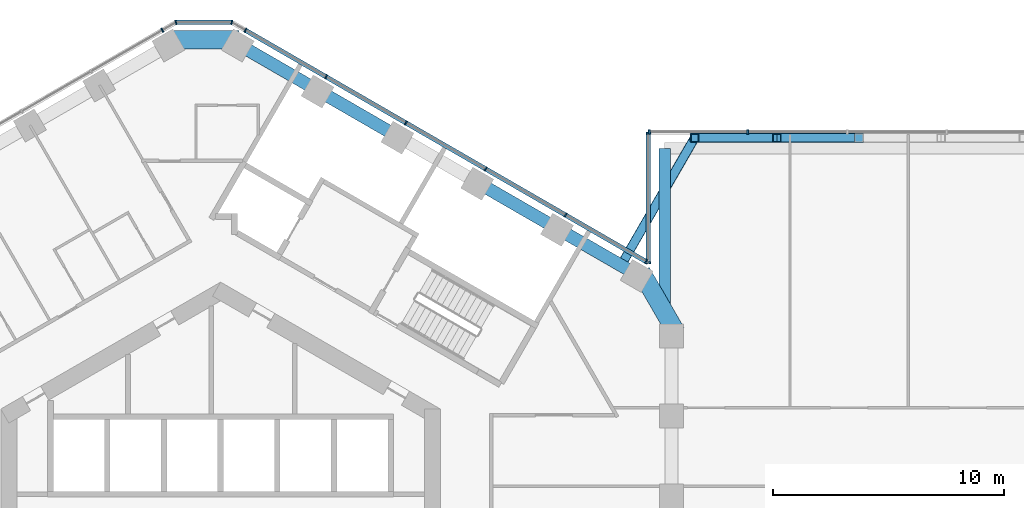
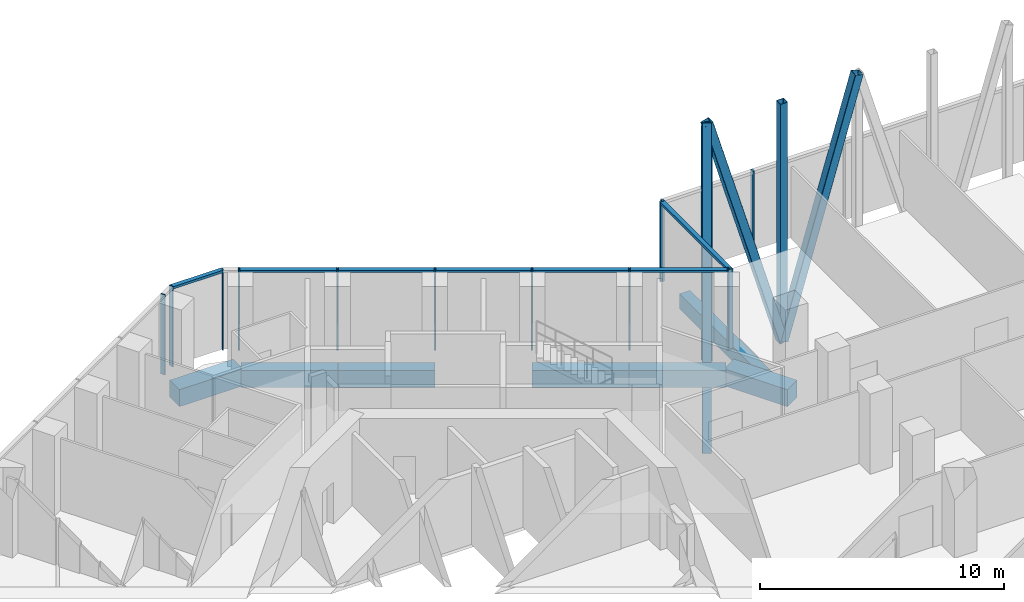
# One storey, part 8 of 24: 21 members, 7 beams, 5 elements without a shape of their own.
"""IFC4 building model written with IfcOpenShell, lengths in metres."""

from ifc_helpers import new_model, si_unit, direction, frame, origin, origin_2d, place, context, subcontext, project, spatial, rectangle, hollow_rectangle, extrude, material, layer, layer_set, material_profile, profile_set, type_object, element, aggregate, save


model = new_model("IFC4")

# Units and contexts
model_context = context("Model", 3, precision=1e-05, world=origin(), true_north=direction((0.0, 1.0)))
body_context = subcontext(model_context, "Body", "Model", "MODEL_VIEW")
ifc_project = project(units=[si_unit("LENGTHUNIT", "METRE"), si_unit("AREAUNIT", "SQUARE_METRE"), si_unit("VOLUMEUNIT", "CUBIC_METRE"), si_unit("PLANEANGLEUNIT", "RADIAN"), si_unit("MASSUNIT", "GRAM", prefix="KILO")], contexts=[model_context])

# Site, building, storey
site_placement = place(None, origin())
site = spatial("IfcSite", under=ifc_project, at=site_placement, CompositionType="ELEMENT")
building_placement = place(site_placement, origin())
building = spatial("IfcBuilding", under=site, at=building_placement, Name="Ayvan Gate Tower", CompositionType="ELEMENT")
storey_placement = place(building_placement, frame((0.0, 0.0, 124.5)))
storey = spatial("IfcBuildingStorey", under=building, at=storey_placement, Name="L33", CompositionType="ELEMENT", Elevation=124.5)

# Beams
ifc_material_1 = material(Name="Concrete C40/50", Category="concrete")
ifc_material_profile_1 = material_profile(ifc_material_1, rectangle(XDim=0.800048828125, YDim=0.85009765625, at=origin_2d()), Name="RC 800x850")
ifc_profile_set_1 = profile_set([ifc_material_profile_1], Name="Concrete C40/50")
beam_type_1 = type_object("IfcBeamType", Name="Corner spandrel beam RC 800x850 C40/50", PredefinedType="BEAM", material=ifc_profile_set_1)
for number, where, z_axis, x_axis, name in (
    (1, (19.676025390625, 8.81005859375, -0.824951171875), (-0.499990139034, 0.866031096941, 0.0), (-0.866031096941, -0.499990139034, 0.0), "SB-L33-6"),
    (2, (0.791748046875, 21.445068359375, -0.824951171875), (-1.0, 0.0, 0.0), (0.0, -1.0, 0.0), "SB-L33-12"),
):
    element("IfcBeam", number, at=place(storey_placement, frame(where, z_axis=z_axis, x_axis=x_axis)), inside=storey, type_object=beam_type_1, Name=name, PredefinedType="BEAM", context=body_context, shape_type="SweptSolid", body=[
        extrude(rectangle(XDim=0.800048828125, YDim=0.85009765625, at=origin_2d()), origin(), (0.0, 0.0, 1.0), 3.0),
    ])
ifc_material_profile_2 = material_profile(ifc_material_1, rectangle(XDim=0.5, YDim=0.75, at=origin_2d()), Name="RC 500x750")
ifc_profile_set_2 = profile_set([ifc_material_profile_2], Name="Concrete C40/50")
beam_type_2 = type_object("IfcBeamType", Name="Sky bar edge beam RC 500x750 C40/50", PredefinedType="BEAM", material=ifc_profile_set_2)
beam_placement = place(storey_placement, frame((19.185546875, 9.88037109375, -0.77490234375), z_axis=(0.0, 1.0, 0.0), x_axis=(-1.0, 0.0, 0.0)))
element("IfcBeam", 3, at=beam_placement, inside=storey, type_object=beam_type_2, Name="EB-B2-L33-1", PredefinedType="BEAM", context=body_context, shape_type="SweptSolid", body=[
    extrude(rectangle(XDim=0.5, YDim=0.75, at=origin_2d()), origin(), (0.0, 0.0, 1.0), 6.86962890625),
])

# Members
ifc_material_2 = material(Name="Steel S460NH", Category="steel")
ifc_material_profile_3 = material_profile(ifc_material_2, hollow_rectangle(XDim=0.39990234375, YDim=0.39990234375, WallThickness=0.01611328125, InnerFilletRadius=0.01611328125, OuterFilletRadius=0.02392578125, at=origin_2d()), Name="RHS 400x400x16")
ifc_profile_set_3 = profile_set([ifc_material_profile_3], Name="Steel S460NH")
member_type_1 = type_object("IfcMemberType", Name="Sky bar truss brace B2 RHS 400x400x16", PredefinedType="BRACE", material=ifc_profile_set_3)
member_1_placement = place(storey_placement, frame((17.33056640625, 11.740478515625, -4.75), z_axis=(0.23119605255, 0.400438075078, 0.886677919717), x_axis=(-0.866022573651, 0.500004901903, 0.0)))
element("IfcMember", 4, at=member_1_placement, inside=storey, type_object=member_type_1, Name="SBX2-A-D-1", PredefinedType="BRACE", context=body_context, shape_type="SweptSolid", body=[
    extrude(hollow_rectangle(XDim=0.39990234375, YDim=0.39990234375, WallThickness=0.01611328125, InnerFilletRadius=0.01611328125, OuterFilletRadius=0.02392578125, at=origin_2d()), origin(), (0.0, 0.0, 1.0), 13.646484375),
])
for number, where, z_axis, x_axis, name in (
    (5, (20.485595703125, 17.205078125, 7.35009765625), (0.281523720266, 0.0, -0.959554268881), (0.0, 1.0, 0.0), "SBX2-A-D-2"),
    (6, (24.03564453125, 17.205078125, -4.75), (0.281523720266, 0.0, 0.959554268881), (0.0, 1.0, 0.0), "SBX2-A-D-3"),
):
    element("IfcMember", number, at=place(storey_placement, frame(where, z_axis=z_axis, x_axis=x_axis)), inside=storey, type_object=member_type_1, Name=name, PredefinedType="BRACE", context=body_context, shape_type="SweptSolid", body=[
        extrude(hollow_rectangle(XDim=0.39990234375, YDim=0.39990234375, WallThickness=0.01611328125, InnerFilletRadius=0.01611328125, OuterFilletRadius=0.02392578125, at=origin_2d()), origin(), (0.0, 0.0, 1.0), 12.610107421875),
    ])
ifc_material_profile_4 = material_profile(ifc_material_2, hollow_rectangle(XDim=0.35009765625, YDim=0.35009765625, WallThickness=0.01611328125, InnerFilletRadius=0.01611328125, OuterFilletRadius=0.02392578125, at=origin_2d()), Name="RHS 350x350x16")
ifc_profile_set_4 = profile_set([ifc_material_profile_4], Name="Steel S460NH")
member_type_2 = type_object("IfcMemberType", Name="Sky bar truss post B2 RHS 350x350x16", PredefinedType="POST", material=ifc_profile_set_4)
for number, where, z_axis, x_axis, name in (
    (7, (20.485595703125, 17.205078125, -4.550048828125), (0.0, 0.0, 1.0), (1.0, 0.0, 0.0), "SBX2-A-P-1"),
    (8, (24.03564453125, 17.205078125, -4.550048828125), (0.0, 0.0, 1.0), (1.0, 0.0, 0.0), "SBX2-A-P-2"),
):
    element("IfcMember", number, at=place(storey_placement, frame(where, z_axis=z_axis, x_axis=x_axis)), inside=storey, type_object=member_type_2, Name=name, PredefinedType="POST", context=body_context, shape_type="SweptSolid", body=[
        extrude(hollow_rectangle(XDim=0.35009765625, YDim=0.35009765625, WallThickness=0.01611328125, InnerFilletRadius=0.01611328125, OuterFilletRadius=0.02392578125, at=origin_2d()), origin(), (0.0, 0.0, 1.0), 11.699951171875),
    ])

# Beams
ifc_material_profile_5 = material_profile(ifc_material_1, rectangle(XDim=0.550048828125, YDim=0.85009765625, at=origin_2d()), Name="RC 550x850")
ifc_profile_set_5 = profile_set([ifc_material_profile_5], Name="Concrete C40/50")
beam_type_3 = type_object("IfcBeamType", Name="Spandrel beam RC 550x850 C40/50", PredefinedType="BEAM", material=ifc_profile_set_5)
for number, where, z_axis, x_axis, name in (
    (9, (17.985595703125, 11.29833984375, -0.824951171875), (-0.866024832473, 0.50000098954, 0.0), (-0.50000098954, -0.866024832473, 0.0), "SB-L33-7"),
    (10, (14.546875, 13.28369140625, -0.824951171875), (-0.866024832473, 0.50000098954, 0.0), (-0.50000098954, -0.866024832473, 0.0), "SB-L33-8"),
    (11, (7.669189453125, 17.25439453125, -0.824951171875), (-0.866024832473, 0.50000098954, 0.0), (-0.50000098954, -0.866024832473, 0.0), "SB-L33-10"),
    (12, (4.23046875, 19.23974609375, -0.824951171875), (-0.866024832473, 0.50000098954, 0.0), (-0.50000098954, -0.866024832473, 0.0), "SB-L33-11"),
):
    element("IfcBeam", number, at=place(storey_placement, frame(where, z_axis=z_axis, x_axis=x_axis)), inside=storey, type_object=beam_type_3, Name=name, PredefinedType="BEAM", context=body_context, shape_type="SweptSolid", body=[
        extrude(rectangle(XDim=0.550048828125, YDim=0.85009765625, at=origin_2d()), origin(), (0.0, 0.0, 1.0), 3.970703125),
    ])

# Curtain wall, members
ifc_material_3 = material(Name="Bronze anodised aluminium", Category="aluminium")
ifc_layer_1 = layer(ifc_material_3, 0.199951171875)
ifc_layer_set_1 = layer_set([ifc_layer_1], Name="Bronze anodised aluminium")
curtain_wall_type_1 = type_object("IfcCurtainWallType", Name="Stick curtain wall CW-1", PredefinedType="NOTDEFINED", material=ifc_layer_set_1)
curtain_wall_1_placement = place(storey_placement, origin())
curtain_wall_1 = element("IfcCurtainWall", 13, at=curtain_wall_1_placement, inside=storey, type_object=curtain_wall_type_1, Name="Stick curtain wall CW-1 L33", PredefinedType="NOTDEFINED")
ifc_material_profile_6 = material_profile(ifc_material_3, rectangle(XDim=0.199951171875, YDim=0.06005859375, at=origin_2d()), Name="Stick curtain wall CW-1 mullion 200 x 60")
ifc_profile_set_6 = profile_set([ifc_material_profile_6], Name="Bronze anodised aluminium")
member_type_3 = type_object("IfcMemberType", Name="Stick curtain wall CW-1 mullion 200 x 60", PredefinedType="MULLION", material=ifc_profile_set_6)
member_2_placement = place(storey_placement, frame((18.389404296875, 11.856689453125, 0.0), z_axis=(0.0, 0.0, 1.0), x_axis=(0.5, 0.866025403784, 0.0)))
member_2 = element("IfcMember", 14, at=member_2_placement, type_object=member_type_3, Name="CW-1 mullion 1", PredefinedType="MULLION", context=body_context, shape_type="SweptSolid", body=[
    extrude(rectangle(XDim=0.199951171875, YDim=0.06005859375, at=origin_2d()), origin(), (0.0, 0.0, 1.0), 4.0),
])
member_3_placement = place(storey_placement, frame((14.904541015625, 13.86865234375, 0.0), z_axis=(0.0, 0.0, 1.0), x_axis=(0.5, 0.866025403784, 0.0)))
member_3 = element("IfcMember", 15, at=member_3_placement, type_object=member_type_3, Name="CW-1 mullion 2", PredefinedType="MULLION", context=body_context, shape_type="SweptSolid", body=[
    extrude(rectangle(XDim=0.199951171875, YDim=0.06005859375, at=origin_2d()), origin(), (0.0, 0.0, 1.0), 4.0),
])
member_4_placement = place(storey_placement, frame((11.4560546875, 15.859619140625, 0.0), z_axis=(0.0, 0.0, 1.0), x_axis=(0.5, 0.866025403784, 0.0)))
member_4 = element("IfcMember", 16, at=member_4_placement, type_object=member_type_3, Name="CW-1 mullion 3", PredefinedType="MULLION", context=body_context, shape_type="SweptSolid", body=[
    extrude(rectangle(XDim=0.199951171875, YDim=0.06005859375, at=origin_2d()), origin(), (0.0, 0.0, 1.0), 4.0),
])
member_5_placement = place(storey_placement, frame((8.007568359375, 17.850830078125, 0.0), z_axis=(0.0, 0.0, 1.0), x_axis=(0.5, 0.866025403784, 0.0)))
member_5 = element("IfcMember", 17, at=member_5_placement, type_object=member_type_3, Name="CW-1 mullion 4", PredefinedType="MULLION", context=body_context, shape_type="SweptSolid", body=[
    extrude(rectangle(XDim=0.199951171875, YDim=0.06005859375, at=origin_2d()), origin(), (0.0, 0.0, 1.0), 4.0),
])
member_6_placement = place(storey_placement, frame((4.55810546875, 19.84228515625, 0.0), z_axis=(0.0, 0.0, 1.0), x_axis=(0.5, 0.866025403784, 0.0)))
member_6 = element("IfcMember", 18, at=member_6_placement, type_object=member_type_3, Name="CW-1 mullion 5", PredefinedType="MULLION", context=body_context, shape_type="SweptSolid", body=[
    extrude(rectangle(XDim=0.199951171875, YDim=0.06005859375, at=origin_2d()), origin(), (0.0, 0.0, 1.0), 4.0),
])
member_7_placement = place(storey_placement, frame((1.073486328125, 21.85400390625, 0.0), z_axis=(0.0, 0.0, 1.0), x_axis=(0.5, 0.866025403784, 0.0)))
member_7 = element("IfcMember", 19, at=member_7_placement, type_object=member_type_3, Name="CW-1 mullion 6", PredefinedType="MULLION", context=body_context, shape_type="SweptSolid", body=[
    extrude(rectangle(XDim=0.199951171875, YDim=0.06005859375, at=origin_2d()), origin(), (0.0, 0.0, 1.0), 4.0),
])

# Curtain wall, member
curtain_wall_2_placement = place(storey_placement, origin())
curtain_wall_2 = element("IfcCurtainWall", 20, at=curtain_wall_2_placement, inside=storey, type_object=curtain_wall_type_1, Name="Stick curtain wall CW-1 L33", PredefinedType="NOTDEFINED")
member_8_placement = place(storey_placement, frame((-2.518798828125, 21.85400390625, 0.0), z_axis=(0.0, 0.0, 1.0), x_axis=(-0.5, 0.866025403784, 0.0)))
member_8 = element("IfcMember", 21, at=member_8_placement, type_object=member_type_3, Name="CW-1 mullion 1", PredefinedType="MULLION", context=body_context, shape_type="SweptSolid", body=[
    extrude(rectangle(XDim=0.199951171875, YDim=0.06005859375, at=origin_2d()), origin(), (0.0, 0.0, 1.0), 4.0),
])
aggregate(curtain_wall_2, [member_8])

# Member
ifc_material_profile_7 = material_profile(ifc_material_3, rectangle(XDim=0.199951171875, YDim=0.1201171875, at=origin_2d()), Name="Stick curtain wall CW-1 transom 200 x 120")
ifc_profile_set_7 = profile_set([ifc_material_profile_7], Name="Bronze anodised aluminium")
member_type_4 = type_object("IfcMemberType", Name="Stick curtain wall CW-1 transom 200 x 120", PredefinedType="USERDEFINED", material=ifc_profile_set_7)
member_9_placement = place(storey_placement, frame((18.389404296875, 11.856689453125, 3.93994140625), z_axis=(-0.866026171446, 0.499998670368, 0.0), x_axis=(-0.499998670368, -0.866026171446, 0.0)))
member_9 = element("IfcMember", 22, at=member_9_placement, type_object=member_type_4, Name="CW-1 transom 1", ObjectType="TRANSOM", PredefinedType="USERDEFINED", context=body_context, shape_type="SweptSolid", body=[
    extrude(rectangle(XDim=0.199951171875, YDim=0.1201171875, at=origin_2d()), origin(), (0.0, 0.0, 1.0), 19.99462890625),
])

aggregate(curtain_wall_1, [member_2, member_3, member_4, member_5, member_6, member_7, member_9])

# Curtain wall, members
ifc_layer_2 = layer(ifc_material_3, 0.199951171875)
ifc_layer_set_2 = layer_set([ifc_layer_2], Name="Bronze anodised aluminium")
curtain_wall_type_2 = type_object("IfcCurtainWallType", Name="Stick curtain wall CW-4", PredefinedType="NOTDEFINED", material=ifc_layer_set_2)
curtain_wall_3_placement = place(storey_placement, origin())
curtain_wall_3 = element("IfcCurtainWall", 23, at=curtain_wall_3_placement, inside=storey, type_object=curtain_wall_type_2, Name="Stick curtain wall CW-4 L33", PredefinedType="NOTDEFINED")
ifc_material_profile_8 = material_profile(ifc_material_3, rectangle(XDim=0.199951171875, YDim=0.080078125, at=origin_2d()), Name="Stick curtain wall CW-4 mullion 200 x 80")
ifc_profile_set_8 = profile_set([ifc_material_profile_8], Name="Bronze anodised aluminium")
member_type_5 = type_object("IfcMemberType", Name="Stick curtain wall CW-4 mullion 200 x 80", PredefinedType="MULLION", material=ifc_profile_set_8)
member_10_placement = place(storey_placement, frame((22.78564453125, 17.449951171875, 0.0), z_axis=(0.0, 0.0, 1.0), x_axis=(0.0, 1.0, 0.0)))
member_10 = element("IfcMember", 24, at=member_10_placement, type_object=member_type_5, Name="CW-4 mullion 4", PredefinedType="MULLION", context=body_context, shape_type="SweptSolid", body=[
    extrude(rectangle(XDim=0.199951171875, YDim=0.080078125, at=origin_2d()), origin(), (0.0, 0.0, 1.0), 4.0),
])
member_11_placement = place(storey_placement, frame((18.525634765625, 17.449951171875, 0.0), z_axis=(0.0, 0.0, 1.0), x_axis=(0.0, 1.0, 0.0)))
member_11 = element("IfcMember", 25, at=member_11_placement, type_object=member_type_5, Name="CW-4 mullion 5", PredefinedType="MULLION", context=body_context, shape_type="SweptSolid", body=[
    extrude(rectangle(XDim=0.199951171875, YDim=0.080078125, at=origin_2d()), origin(), (0.0, 0.0, 1.0), 4.0),
])
aggregate(curtain_wall_3, [member_10, member_11])

curtain_wall_4_placement = place(storey_placement, origin())
curtain_wall_4 = element("IfcCurtainWall", 26, at=curtain_wall_4_placement, inside=storey, type_object=curtain_wall_type_2, Name="Stick curtain wall CW-4 L33", PredefinedType="NOTDEFINED")
member_12_placement = place(storey_placement, frame((18.485595703125, 17.409912109375, 0.0), z_axis=(0.0, 0.0, 1.0), x_axis=(-1.0, 0.0, 0.0)))
member_12 = element("IfcMember", 27, at=member_12_placement, type_object=member_type_5, Name="CW-4 mullion 1", PredefinedType="MULLION", context=body_context, shape_type="SweptSolid", body=[
    extrude(rectangle(XDim=0.199951171875, YDim=0.080078125, at=origin_2d()), origin(), (0.0, 0.0, 1.0), 4.0),
])
member_13_placement = place(storey_placement, frame((18.485595703125, 11.8115234375, 0.0), z_axis=(0.0, 0.0, 1.0), x_axis=(-1.0, 0.0, 0.0)))
member_13 = element("IfcMember", 28, at=member_13_placement, type_object=member_type_5, Name="CW-4 mullion 2", PredefinedType="MULLION", context=body_context, shape_type="SweptSolid", body=[
    extrude(rectangle(XDim=0.199951171875, YDim=0.080078125, at=origin_2d()), origin(), (0.0, 0.0, 1.0), 4.0),
])
ifc_material_profile_9 = material_profile(ifc_material_3, rectangle(XDim=0.199951171875, YDim=0.139892578125, at=origin_2d()), Name="Stick curtain wall CW-4 transom 200 x 140")
ifc_profile_set_9 = profile_set([ifc_material_profile_9], Name="Bronze anodised aluminium")
member_type_6 = type_object("IfcMemberType", Name="Stick curtain wall CW-4 transom 200 x 140", PredefinedType="USERDEFINED", material=ifc_profile_set_9)
member_14_placement = place(storey_placement, frame((18.485595703125, 17.409912109375, 3.929931640625), z_axis=(0.0, -1.0, 0.0), x_axis=(1.0, 0.0, 0.0)))
member_14 = element("IfcMember", 29, at=member_14_placement, type_object=member_type_6, Name="CW-4 transom 1", ObjectType="TRANSOM", PredefinedType="USERDEFINED", context=body_context, shape_type="SweptSolid", body=[
    extrude(rectangle(XDim=0.199951171875, YDim=0.139892578125, at=origin_2d()), origin(), (0.0, 0.0, 1.0), 5.598388671875),
])
aggregate(curtain_wall_4, [member_12, member_13, member_14])

ifc_layer_3 = layer(ifc_material_3, 0.199951171875)
ifc_layer_set_3 = layer_set([ifc_layer_3], Name="Bronze anodised aluminium")
curtain_wall_type_3 = type_object("IfcCurtainWallType", Name="Stick curtain wall CW-6", PredefinedType="NOTDEFINED", material=ifc_layer_set_3)
curtain_wall_5_placement = place(storey_placement, origin())
curtain_wall_5 = element("IfcCurtainWall", 30, at=curtain_wall_5_placement, inside=storey, type_object=curtain_wall_type_3, Name="Stick curtain wall CW-6 L33", PredefinedType="NOTDEFINED")
ifc_material_profile_10 = material_profile(ifc_material_3, rectangle(XDim=0.199951171875, YDim=0.050048828125, at=origin_2d()), Name="Stick curtain wall CW-6 mullion 200 x 50")
ifc_profile_set_10 = profile_set([ifc_material_profile_10], Name="Bronze anodised aluminium")
member_type_7 = type_object("IfcMemberType", Name="Stick curtain wall CW-6 mullion 200 x 50", PredefinedType="MULLION", material=ifc_profile_set_10)
member_15_placement = place(storey_placement, frame((0.484619140625, 22.194091796875, 0.0), z_axis=(0.0, 0.0, 1.0), x_axis=(0.258819045103, 0.965925826289, 0.0)))
member_15 = element("IfcMember", 31, at=member_15_placement, type_object=member_type_7, Name="CW-6 mullion 2", PredefinedType="MULLION", context=body_context, shape_type="SweptSolid", body=[
    extrude(rectangle(XDim=0.199951171875, YDim=0.050048828125, at=origin_2d()), origin(), (0.0, 0.0, 1.0), 4.0),
])
member_16_placement = place(storey_placement, frame((-1.929931640625, 22.194091796875, 0.0), z_axis=(0.0, 0.0, 1.0), x_axis=(-0.258819045103, 0.965925826289, 0.0)))
member_16 = element("IfcMember", 32, at=member_16_placement, type_object=member_type_7, Name="CW-6 mullion 3", PredefinedType="MULLION", context=body_context, shape_type="SweptSolid", body=[
    extrude(rectangle(XDim=0.199951171875, YDim=0.050048828125, at=origin_2d()), origin(), (0.0, 0.0, 1.0), 4.0),
])
ifc_material_profile_11 = material_profile(ifc_material_3, rectangle(XDim=0.199951171875, YDim=0.1201171875, at=origin_2d()), Name="Stick curtain wall CW-6 transom 200 x 120")
ifc_profile_set_11 = profile_set([ifc_material_profile_11], Name="Bronze anodised aluminium")
member_type_8 = type_object("IfcMemberType", Name="Stick curtain wall CW-6 transom 200 x 120", PredefinedType="USERDEFINED", material=ifc_profile_set_11)
member_17_placement = place(storey_placement, frame((0.459716796875, 22.194091796875, 3.93994140625), z_axis=(-1.0, 0.0, 0.0), x_axis=(0.0, -1.0, 0.0)))
member_17 = element("IfcMember", 33, at=member_17_placement, type_object=member_type_8, Name="CW-6 transom 2", ObjectType="TRANSOM", PredefinedType="USERDEFINED", context=body_context, shape_type="SweptSolid", body=[
    extrude(rectangle(XDim=0.199951171875, YDim=0.1201171875, at=origin_2d()), origin(), (0.0, 0.0, 1.0), 2.36474609375),
])
aggregate(curtain_wall_5, [member_15, member_16, member_17])

save(model, "model.ifc")
